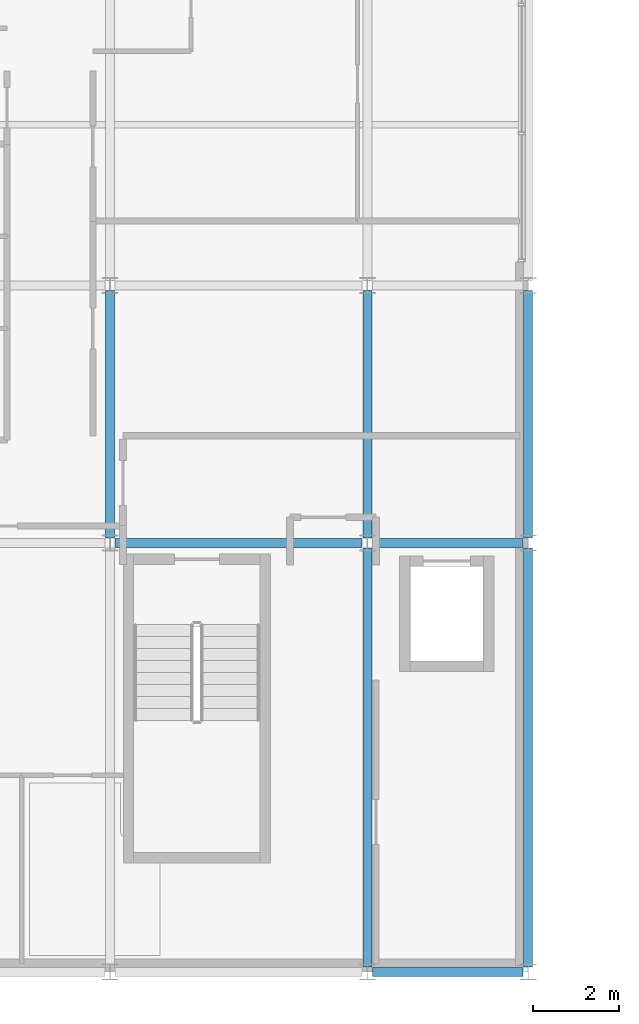
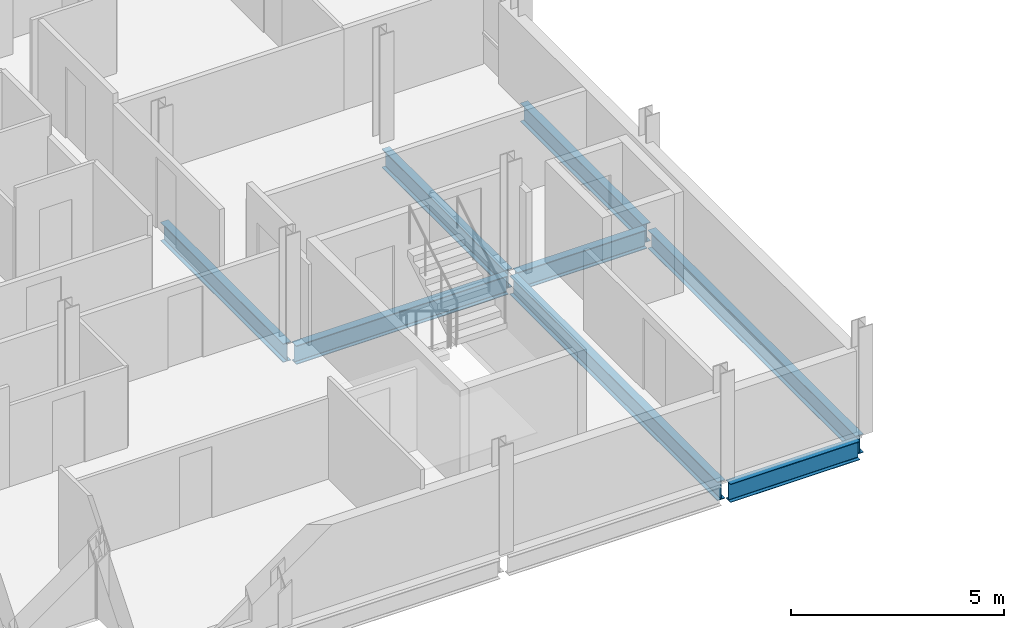
# One storey, part 5 of 30: 8 beams.
"""IFC4 building model written with IfcOpenShell, lengths in metres."""

from ifc_helpers import new_model, si_unit, direction, frame, origin, origin_2d, place, context, subcontext, project, spatial, i_section, extrude, material, material_profile, profile_set, type_object, element, save


model = new_model("IFC4")

# Units and contexts
model_context = context("Model", 3, precision=1e-05, world=origin(), true_north=direction((0.0, 1.0)))
body_context = subcontext(model_context, "Body", "Model", "MODEL_VIEW")
ifc_project = project(units=[si_unit("LENGTHUNIT", "METRE"), si_unit("AREAUNIT", "SQUARE_METRE"), si_unit("VOLUMEUNIT", "CUBIC_METRE"), si_unit("PLANEANGLEUNIT", "RADIAN"), si_unit("MASSUNIT", "GRAM", prefix="KILO")], contexts=[model_context])

# Site, building, storey
site_placement = place(None, origin())
site = spatial("IfcSite", under=ifc_project, at=site_placement, CompositionType="ELEMENT")
building_placement = place(site_placement, origin())
building = spatial("IfcBuilding", under=site, at=building_placement, Name="Brevholm Reach", CompositionType="ELEMENT")
storey_placement = place(building_placement, frame((0.0, 0.0, 204.89990234375)))
storey = spatial("IfcBuildingStorey", under=building, at=storey_placement, Name="L62", CompositionType="ELEMENT", Elevation=204.89990234375)

# Beams
ifc_material_1 = material(Name="Structural Steel S355J2", Category="steel")
ifc_material_profile_1 = material_profile(ifc_material_1, i_section(OverallWidth=0.209228515625, OverallDepth=0.533203125, WebThickness=0.010009765625, FlangeThickness=0.015625, FilletRadius=0.0126953125, at=origin_2d()), Name="UKB 533x210x92")
ifc_profile_set_1 = profile_set([ifc_material_profile_1], Name="Structural Steel S355J2")
beam_type_1 = type_object("IfcBeamType", Name="BM-SP533", PredefinedType="SPANDREL", material=ifc_profile_set_1)
beam_1_placement = place(storey_placement, frame((18.1201171875, 0.0, -0.4765625), z_axis=(1.0, 0.0, 0.0), x_axis=(0.0, 1.0, 0.0)))
element("IfcBeam", 1, at=beam_1_placement, inside=storey, type_object=beam_type_1, Name="L62 SP-02 Framing Beam", PredefinedType="SPANDREL", context=body_context, shape_type="SweptSolid", body=[
    extrude(i_section(OverallWidth=0.209228515625, OverallDepth=0.533203125, WebThickness=0.010009765625, FlangeThickness=0.015625, FilletRadius=0.0126953125, at=origin_2d()), origin(), (0.0, 0.0, 1.0), 3.509765625),
])
beam_2_placement = place(storey_placement, frame((21.75, 0.1201171875, -0.4765625), z_axis=(0.0, 1.0, 0.0), x_axis=(-1.0, 0.0, 0.0)))
element("IfcBeam", 2, at=beam_2_placement, inside=storey, type_object=beam_type_1, Name="L62 SP-02 Framing Beam", PredefinedType="SPANDREL", context=body_context, shape_type="SweptSolid", body=[
    extrude(i_section(OverallWidth=0.209228515625, OverallDepth=0.533203125, WebThickness=0.010009765625, FlangeThickness=0.015625, FilletRadius=0.0126953125, at=origin_2d()), origin(), (0.0, 0.0, 1.0), 9.759765625),
])
beam_3_placement = place(storey_placement, frame((21.75, 10.1201171875, -0.4765625), z_axis=(0.0, 1.0, 0.0), x_axis=(-1.0, 0.0, 0.0)))
element("IfcBeam", 3, at=beam_3_placement, inside=storey, type_object=beam_type_1, Name="L62 SP-02 Framing Beam", PredefinedType="SPANDREL", context=body_context, shape_type="SweptSolid", body=[
    extrude(i_section(OverallWidth=0.209228515625, OverallDepth=0.533203125, WebThickness=0.010009765625, FlangeThickness=0.015625, FilletRadius=0.0126953125, at=origin_2d()), origin(), (0.0, 0.0, 1.0), 5.759765625),
])
ifc_material_2 = material(Name="Structural Steel S355J2", Category="steel")
ifc_material_profile_2 = material_profile(ifc_material_2, i_section(OverallWidth=0.210693359375, OverallDepth=0.53955078125, WebThickness=0.01171875, FlangeThickness=0.018798828125, FilletRadius=0.0126953125, at=origin_2d()), Name="UKB 533x210x109")
ifc_profile_set_2 = profile_set([ifc_material_profile_2], Name="Structural Steel S355J2")
beam_type_2 = type_object("IfcBeamType", Name="BM-SP539", PredefinedType="SPANDREL", material=ifc_profile_set_2)
beam_4_placement = place(storey_placement, frame((12.1201171875, 10.0, -0.479736328125), z_axis=(1.0, 0.0, 0.0), x_axis=(0.0, 1.0, 0.0)))
element("IfcBeam", 4, at=beam_4_placement, inside=storey, type_object=beam_type_2, Name="L62 SP-01B Framing Beam", PredefinedType="SPANDREL", context=body_context, shape_type="SweptSolid", body=[
    extrude(i_section(OverallWidth=0.210693359375, OverallDepth=0.53955078125, WebThickness=0.01171875, FlangeThickness=0.018798828125, FilletRadius=0.0126953125, at=origin_2d()), origin(), (0.0, 0.0, 1.0), 5.759765625),
])
beam_5_placement = place(storey_placement, frame((18.1201171875, 10.0, -0.479736328125), z_axis=(1.0, 0.0, 0.0), x_axis=(0.0, 1.0, 0.0)))
element("IfcBeam", 5, at=beam_5_placement, inside=storey, type_object=beam_type_2, Name="L62 SP-01B Framing Beam", PredefinedType="SPANDREL", context=body_context, shape_type="SweptSolid", body=[
    extrude(i_section(OverallWidth=0.210693359375, OverallDepth=0.53955078125, WebThickness=0.01171875, FlangeThickness=0.018798828125, FilletRadius=0.0126953125, at=origin_2d()), origin(), (0.0, 0.0, 1.0), 3.509765625),
])
beam_6_placement = place(storey_placement, frame((12.0, 10.1201171875, -0.479736328125), z_axis=(0.0, 1.0, 0.0), x_axis=(-1.0, 0.0, 0.0)))
element("IfcBeam", 6, at=beam_6_placement, inside=storey, type_object=beam_type_2, Name="L62 SP-01B Framing Beam", PredefinedType="SPANDREL", context=body_context, shape_type="SweptSolid", body=[
    extrude(i_section(OverallWidth=0.210693359375, OverallDepth=0.53955078125, WebThickness=0.01171875, FlangeThickness=0.018798828125, FilletRadius=0.0126953125, at=origin_2d()), origin(), (0.0, 0.0, 1.0), 5.759765625),
])
beam_7_placement = place(storey_placement, frame((18.0, 0.1201171875, -0.479736328125), z_axis=(0.0, 1.0, 0.0), x_axis=(-1.0, 0.0, 0.0)))
element("IfcBeam", 7, at=beam_7_placement, inside=storey, type_object=beam_type_2, Name="L62 SP-01B Framing Beam", PredefinedType="SPANDREL", context=body_context, shape_type="SweptSolid", body=[
    extrude(i_section(OverallWidth=0.210693359375, OverallDepth=0.53955078125, WebThickness=0.01171875, FlangeThickness=0.018798828125, FilletRadius=0.0126953125, at=origin_2d()), origin(), (0.0, 0.0, 1.0), 9.759765625),
])
beam_8_placement = place(storey_placement, frame((18.0, 10.1201171875, -0.479736328125), z_axis=(0.0, 1.0, 0.0), x_axis=(-1.0, 0.0, 0.0)))
element("IfcBeam", 8, at=beam_8_placement, inside=storey, type_object=beam_type_2, Name="L62 SP-01B Framing Beam", PredefinedType="SPANDREL", context=body_context, shape_type="SweptSolid", body=[
    extrude(i_section(OverallWidth=0.210693359375, OverallDepth=0.53955078125, WebThickness=0.01171875, FlangeThickness=0.018798828125, FilletRadius=0.0126953125, at=origin_2d()), origin(), (0.0, 0.0, 1.0), 5.759765625),
])

save(model, "model.ifc")
